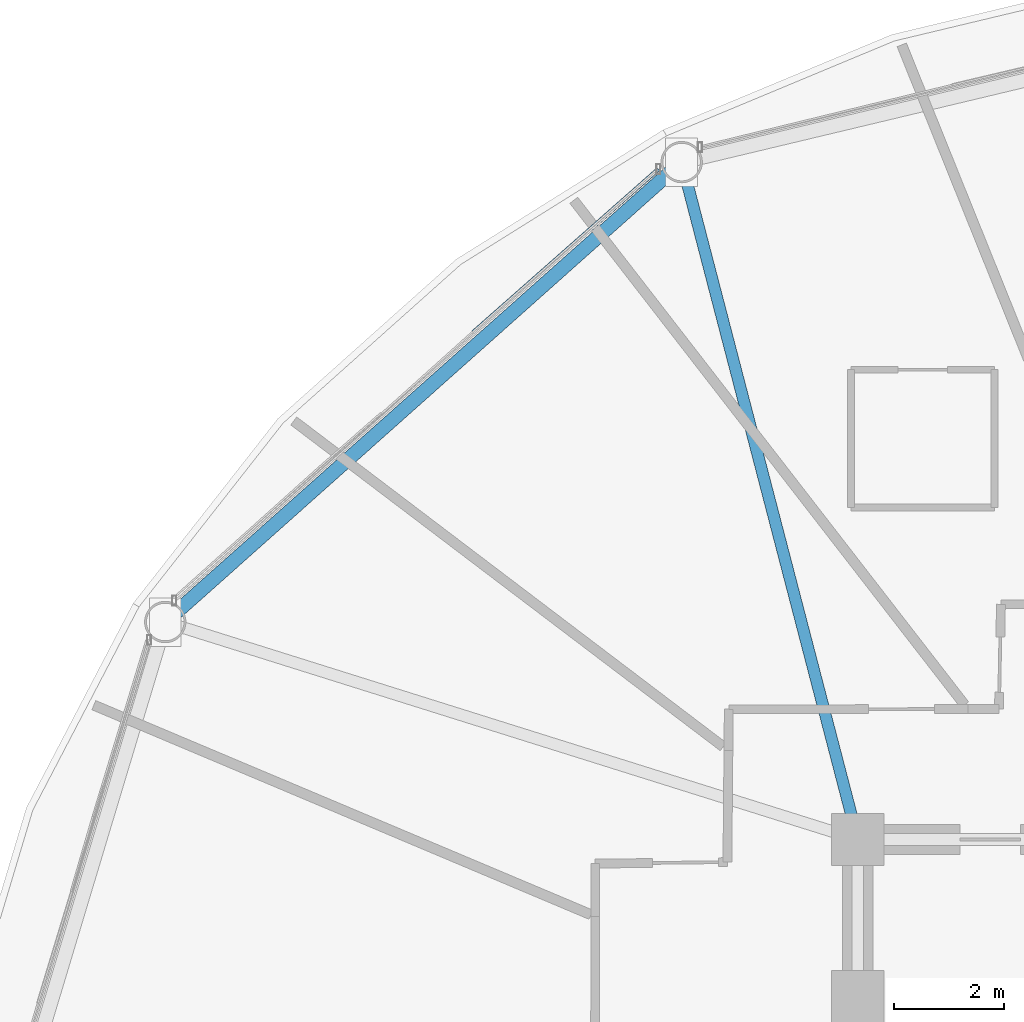
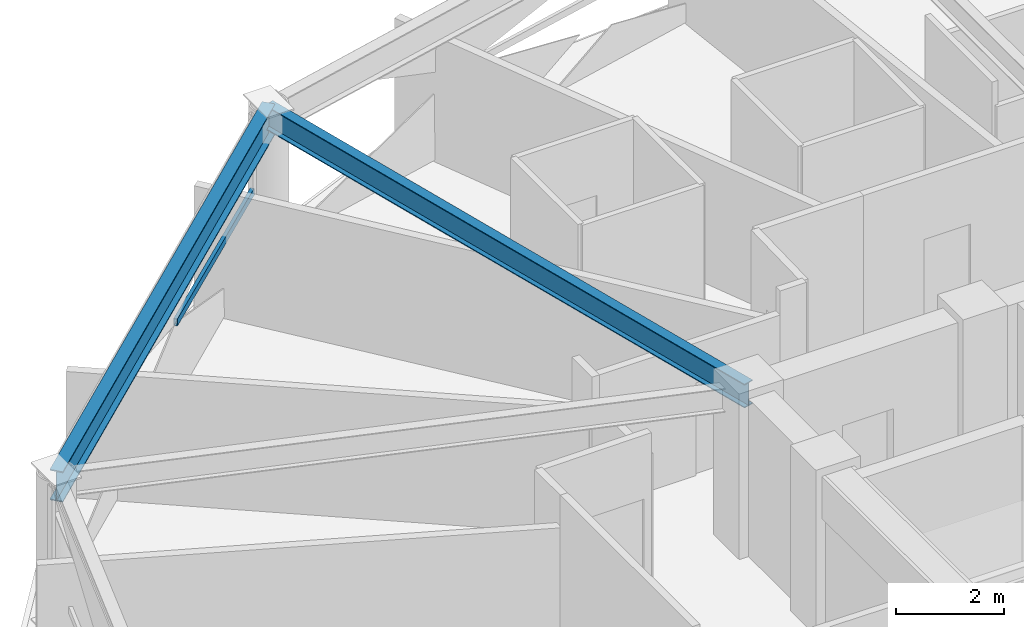
# One storey, part 15 of 32: 2 beams, 1 member, 1 element without a shape of its own.
"""IFC4 building model written with IfcOpenShell, lengths in metres."""

from ifc_helpers import new_model, si_unit, direction, frame, origin, origin_2d, place, context, subcontext, project, spatial, hollow_rectangle, i_section, extrude, material, layer, layer_set, material_profile, profile_set, type_object, element, aggregate, save


model = new_model("IFC4")

# Units and contexts
model_context = context("Model", 3, precision=1e-05, world=origin(), true_north=direction((0.0, 1.0)))
body_context = subcontext(model_context, "Body", "Model", "MODEL_VIEW")
ifc_project = project(units=[si_unit("LENGTHUNIT", "METRE"), si_unit("AREAUNIT", "SQUARE_METRE"), si_unit("VOLUMEUNIT", "CUBIC_METRE"), si_unit("PLANEANGLEUNIT", "RADIAN"), si_unit("MASSUNIT", "GRAM", prefix="KILO")], contexts=[model_context])

# Site, building, storey
site_placement = place(None, origin())
site = spatial("IfcSite", under=ifc_project, at=site_placement, CompositionType="ELEMENT")
building_placement = place(site_placement, origin())
building = spatial("IfcBuilding", under=site, at=building_placement, Name="Vantalir Tower", CompositionType="ELEMENT")
storey_placement = place(building_placement, frame((0.0, 0.0, 108.449951171875)))
storey = spatial("IfcBuildingStorey", under=building, at=storey_placement, Name="L26", CompositionType="ELEMENT", Elevation=108.449951171875)

# Beams
ifc_material_1 = material(Name="Steel S355", Category="steel")
ifc_material_profile_1 = material_profile(ifc_material_1, i_section(OverallWidth=0.2109375, OverallDepth=0.5390625, WebThickness=0.01171875, FlangeThickness=0.018798828125, at=origin_2d()), Name="Steel S355")
ifc_profile_set_1 = profile_set([ifc_material_profile_1], Name="Steel S355")
beam_type_1 = type_object("IfcBeamType", Name="BM-RB-533x210", PredefinedType="BEAM", material=ifc_profile_set_1)
beam_1_placement = place(storey_placement, frame((18.7060546875, 44.735107421875, 3.300048828125), z_axis=(0.251612232967, -0.967828127418, 0.0), x_axis=(0.967828127418, 0.251612232967, 0.0)))
element("IfcBeam", 1, at=beam_1_placement, inside=storey, type_object=beam_type_1, Name="L26 Radial Floor Beam 05", PredefinedType="BEAM", context=body_context, shape_type="SweptSolid", body=[
    extrude(i_section(OverallWidth=0.2109375, OverallDepth=0.5390625, WebThickness=0.01171875, FlangeThickness=0.018798828125, at=origin_2d()), origin(), (0.0, 0.0, 1.0), 12.693603515625),
])
ifc_material_2 = material(Name="Steel S460", Category="steel")
ifc_material_profile_2 = material_profile(ifc_material_2, i_section(OverallWidth=0.256103515625, OverallDepth=0.693115234375, WebThickness=0.014404296875, FlangeThickness=0.023681640625, at=origin_2d()), Name="Steel S460")
ifc_profile_set_2 = profile_set([ifc_material_profile_2], Name="Steel S460")
beam_type_2 = type_object("IfcBeamType", Name="BM-RG-686x254", PredefinedType="USERDEFINED", material=ifc_profile_set_2)
beam_2_placement = place(storey_placement, frame((18.7060546875, 44.735107421875, 3.22314453125), z_axis=(-0.746784993974, -0.665065540211, 0.0), x_axis=(0.665065540211, -0.746784993974, 0.0)))
element("IfcBeam", 2, at=beam_2_placement, inside=storey, type_object=beam_type_2, Name="L26 Circumferential Ring Girder 05", ObjectType="GIRDER", PredefinedType="USERDEFINED", context=body_context, shape_type="SweptSolid", body=[
    extrude(i_section(OverallWidth=0.256103515625, OverallDepth=0.693115234375, WebThickness=0.014404296875, FlangeThickness=0.023681640625, at=origin_2d()), origin(), (0.0, 0.0, 1.0), 12.541748046875),
])

# Curtain wall, member
ifc_material_3 = material(Name="Champagne-silver PVDF aluminium and double-silver Low-E glass", Category="aluminium")
ifc_layer = layer(ifc_material_3, 0.199951171875)
ifc_layer_set = layer_set([ifc_layer], Name="Champagne-silver PVDF aluminium and double-silver Low-E glass")
curtain_wall_type = type_object("IfcCurtainWallType", Name="CW-DIAMOND-Z2", PredefinedType="USERDEFINED", material=ifc_layer_set)
curtain_wall_placement = place(storey_placement, origin())
curtain_wall = element("IfcCurtainWall", 3, at=curtain_wall_placement, inside=storey, type_object=curtain_wall_type, Name="L26 Quilted Pyramid-Diamond Curtain Wall S05", ObjectType="UNITISED CURTAIN WALL", PredefinedType="USERDEFINED")
ifc_material_4 = material(Name="Champagne-silver PVDF aluminium 6063-T6", Category="aluminium")
ifc_material_profile_3 = material_profile(ifc_material_4, hollow_rectangle(XDim=0.074951171875, YDim=0.159912109375, WallThickness=0.00390625, at=origin_2d()), Name="Champagne-silver PVDF aluminium 6063-T6")
ifc_profile_set_3 = profile_set([ifc_material_profile_3], Name="Champagne-silver PVDF aluminium 6063-T6")
member_type = type_object("IfcMemberType", Name="CWT-160x75", PredefinedType="USERDEFINED", material=ifc_profile_set_3)
member_placement = place(storey_placement, frame((18.282958984375, 44.60693359375, 1.78515625), z_axis=(-0.750115126779, -0.661307263364, 0.0), x_axis=(0.661307263364, -0.750115126779, 0.0)))
member = element("IfcMember", 4, at=member_placement, type_object=member_type, Name="CW-L26-S05 Pyramid Fold Ridge Transom", ObjectType="TRANSOM", PredefinedType="USERDEFINED", context=body_context, shape_type="SweptSolid", body=[
    extrude(hollow_rectangle(XDim=0.074951171875, YDim=0.159912109375, WallThickness=0.00390625, at=origin_2d()), origin(), (0.0, 0.0, 1.0), 4.469970703125),
])
aggregate(curtain_wall, [member])

save(model, "model.ifc")
